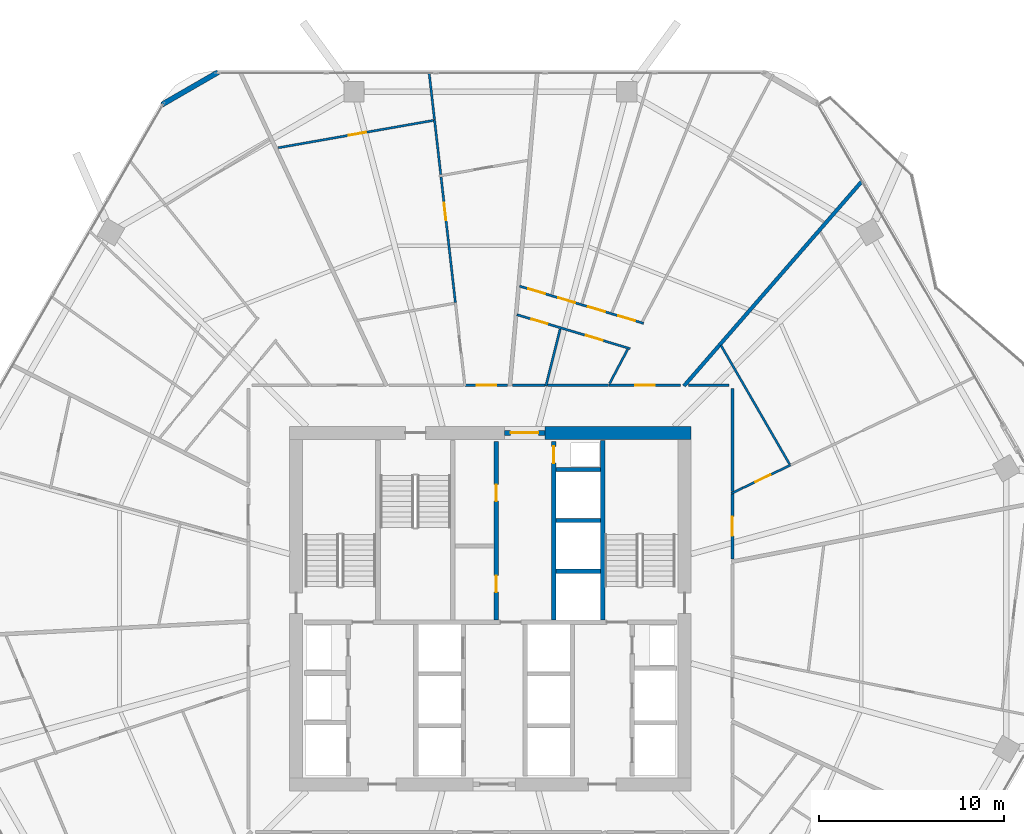
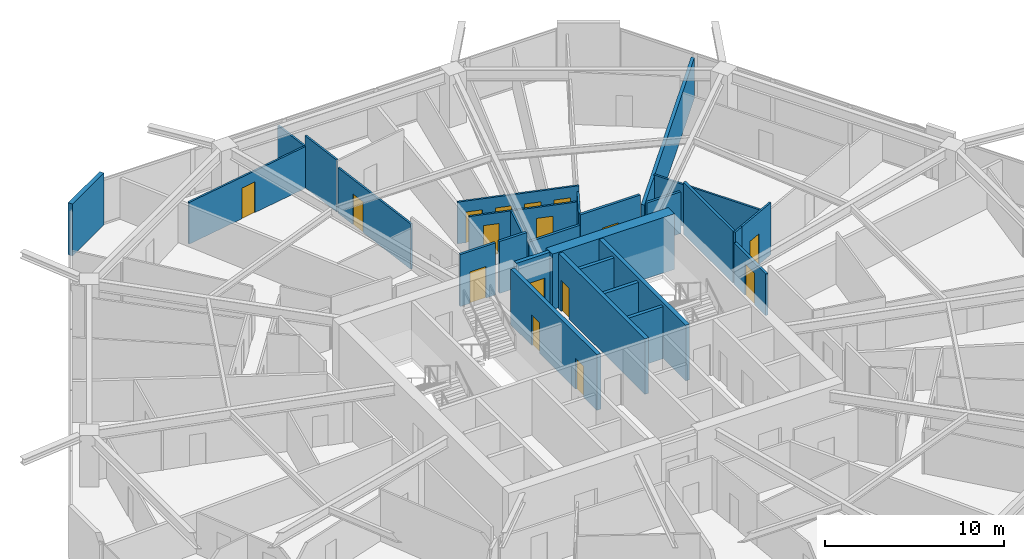
# One storey, part 25 of 29: 28 walls, 16 doors, 16 openings.
"""IFC4 building model written with IfcOpenShell, lengths in metres."""

from ifc_helpers import new_model, si_unit, direction, frame, frame_2d, origin, place, context, subcontext, project, spatial, rectangle, extrude, material, layer, layer_set, type_object, element, fill, save


model = new_model("IFC4")

# Units and contexts
model_context = context("Model", 3, precision=1e-05, world=origin(), true_north=direction((0.0, 1.0)))
body_context = subcontext(model_context, "Body", "Model", "MODEL_VIEW")
ifc_project = project(units=[si_unit("LENGTHUNIT", "METRE"), si_unit("AREAUNIT", "SQUARE_METRE"), si_unit("VOLUMEUNIT", "CUBIC_METRE"), si_unit("PLANEANGLEUNIT", "RADIAN"), si_unit("MASSUNIT", "GRAM", prefix="KILO")], contexts=[model_context])

# Site, building, storey
site_placement = place(None, origin())
site = spatial("IfcSite", under=ifc_project, at=site_placement, CompositionType="ELEMENT")
building_placement = place(site_placement, origin())
building = spatial("IfcBuilding", under=site, at=building_placement, Name="Zuhravey Tower", CompositionType="ELEMENT")
storey_placement = place(building_placement, frame((0.0, 0.0, 134.199951171875)))
storey = spatial("IfcBuildingStorey", under=building, at=storey_placement, Name="L33", CompositionType="ELEMENT", Elevation=134.199951171875)

# Wall
ifc_material_1 = material(Name="Concrete C60/75", Category="concrete")
ifc_layer_1 = layer(ifc_material_1, 0.699951171875)
ifc_layer_set_1 = layer_set([ifc_layer_1], Name="Concrete C60/75")
wall_type_1 = type_object("IfcWallType", Name="Core Shear Wall 700", PredefinedType="SHEAR", material=ifc_layer_set_1)
wall_1_placement = place(storey_placement, frame((46.85009765625, 41.5, 0.0), z_axis=(0.0, 0.0, 1.0), x_axis=(-1.0, 0.0, 0.0)))
element("IfcWall", 1, at=wall_1_placement, inside=storey, type_object=wall_type_1, Name="L33 North-East Core Shear Wall CW70", PredefinedType="SHEAR", context=body_context, shape_type="SweptSolid", body=[
    extrude(rectangle(XDim=7.900146484375, YDim=0.699951171875, at=frame_2d((3.9501953125, 0.0))), origin(), (0.0, 0.0, 1.0), 3.800048828125),
])

# Wall, opening, door
ifc_material_2 = material(Name="Gypsum fire-rated stud partition")
ifc_layer_2 = layer(ifc_material_2, 0.159912109375)
ifc_layer_set_2 = layer_set([ifc_layer_2], Name="Gypsum fire-rated stud partition")
wall_type_2 = type_object("IfcWallType", Name="Corridor Fire Partition 160", PredefinedType="PARTITIONING", material=ifc_layer_set_2)
wall_2_placement = place(storey_placement, frame((49.080078125, 34.681640625, 0.0), z_axis=(0.0, 0.0, 1.0), x_axis=(0.0, 1.0, 0.0)))
wall_2 = element("IfcWall", 2, at=wall_2_placement, inside=storey, type_object=wall_type_2, Name="L33 IW16 Partition 022", PredefinedType="PARTITIONING", context=body_context, shape_type="SweptSolid", body=[
    extrude(rectangle(XDim=3.5517578125, YDim=0.159912109375, at=frame_2d((1.77587890625, 0.0))), origin(), (0.0, 0.0, 1.0), 2.85009765625),
])
opening_1_placement = place(wall_2_placement, frame((1.2509765625, 0.0, 0.0)))
opening_1 = element("IfcOpeningElement", 3, at=opening_1_placement, cuts=wall_2, Name="Opening APD1", PredefinedType="OPENING", context=body_context, shape_type="SweptSolid", body=[
    extrude(rectangle(XDim=1.050048828125, YDim=2.14990234375, at=frame_2d((0.52490234375, 1.074951171875))), frame((0.0, 0.092041015625, 0.0), z_axis=(0.0, -1.0, 0.0), x_axis=(1.0, 0.0, 0.0)), (0.0, 0.0, 1.0), 0.183837890625),
])
ifc_material_3 = material(Name="Solid-core oak fire-rated leaf")
door_type_1 = type_object("IfcDoorType", Name="Apartment Entrance Fire Door 1050x2150", OperationType="NOTDEFINED", PredefinedType="DOOR", material=ifc_material_3)
door_1_placement = place(opening_1_placement, frame((1.050048828125, 0.0, 0.0), z_axis=(0.0, 0.0, 1.0), x_axis=(-1.0, 0.0, 0.0)))
door_1 = element("IfcDoor", 4, at=door_1_placement, inside=storey, type_object=door_type_1, Name="L33 Door 022.1", OperationType="SINGLE_SWING_RIGHT", OverallHeight=2.14990234375, OverallWidth=1.050048828125, PredefinedType="DOOR", context=body_context, shape_type="SweptSolid", body=[
    extrude(rectangle(XDim=1.050048828125, YDim=2.14990234375, at=frame_2d((0.52490234375, 1.074951171875))), frame((0.0, 0.02490234375, 0.0), z_axis=(0.0, -1.0, 0.0), x_axis=(1.0, 0.0, 0.0)), (0.0, 0.0, 1.0), 0.050048828125),
])
fill(opening_1, door_1)

wall_3_placement = place(storey_placement, frame((46.291015625, 44.080078125, 0.0), z_axis=(0.0, 0.0, 1.0), x_axis=(-1.0, 0.0, 0.0)))
wall_3 = element("IfcWall", 5, at=wall_3_placement, inside=storey, type_object=wall_type_2, Name="L33 IW16 Partition 026", PredefinedType="PARTITIONING", context=body_context, shape_type="SweptSolid", body=[
    extrude(rectangle(XDim=3.872314453125, YDim=0.159912109375, at=frame_2d((1.93603515625, 0.0))), origin(), (0.0, 0.0, 1.0), 3.550048828125),
])
opening_2_placement = place(wall_3_placement, frame((1.4111328125, 0.0, 0.0)))
opening_2 = element("IfcOpeningElement", 6, at=opening_2_placement, cuts=wall_3, Name="Opening APD1", PredefinedType="OPENING", context=body_context, shape_type="SweptSolid", body=[
    extrude(rectangle(XDim=1.050048828125, YDim=2.14990234375, at=frame_2d((0.52490234375, 1.074951171875))), frame((0.0, 0.092041015625, 0.0), z_axis=(0.0, -1.0, 0.0), x_axis=(1.0, 0.0, 0.0)), (0.0, 0.0, 1.0), 0.183837890625),
])
door_2_placement = place(opening_2_placement, frame((1.050048828125, 0.0, 0.0), z_axis=(0.0, 0.0, 1.0), x_axis=(-1.0, 0.0, 0.0)))
door_2 = element("IfcDoor", 7, at=door_2_placement, inside=storey, type_object=door_type_1, Name="L33 Door 026.1", OperationType="SINGLE_SWING_RIGHT", OverallHeight=2.14990234375, OverallWidth=1.050048828125, PredefinedType="DOOR", context=body_context, shape_type="SweptSolid", body=[
    extrude(rectangle(XDim=1.050048828125, YDim=2.14990234375, at=frame_2d((0.52490234375, 1.074951171875))), frame((0.0, 0.02490234375, 0.0), z_axis=(0.0, -1.0, 0.0), x_axis=(1.0, 0.0, 0.0)), (0.0, 0.0, 1.0), 0.050048828125),
])
fill(opening_2, door_2)

wall_4_placement = place(storey_placement, frame((36.9306640625, 44.080078125, 0.0), z_axis=(0.0, 0.0, 1.0), x_axis=(-1.0, 0.0, 0.0)))
wall_4 = element("IfcWall", 8, at=wall_4_placement, inside=storey, type_object=wall_type_2, Name="L33 IW16 Partition 032", PredefinedType="PARTITIONING", context=body_context, shape_type="SweptSolid", body=[
    extrude(rectangle(XDim=2.291259765625, YDim=0.159912109375, at=frame_2d((1.1455078125, 0.0))), origin(), (0.0, 0.0, 1.0), 3.550048828125),
])
opening_3_placement = place(wall_4_placement, frame((0.62060546875, 0.0, 0.0)))
opening_3 = element("IfcOpeningElement", 9, at=opening_3_placement, cuts=wall_4, Name="Opening APD1", PredefinedType="OPENING", context=body_context, shape_type="SweptSolid", body=[
    extrude(rectangle(XDim=1.050048828125, YDim=2.14990234375, at=frame_2d((0.52490234375, 1.074951171875))), frame((0.0, 0.092041015625, 0.0), z_axis=(0.0, -1.0, 0.0), x_axis=(1.0, 0.0, 0.0)), (0.0, 0.0, 1.0), 0.183837890625),
])
door_3_placement = place(opening_3_placement, frame((1.050048828125, 0.0, 0.0), z_axis=(0.0, 0.0, 1.0), x_axis=(-1.0, 0.0, 0.0)))
door_3 = element("IfcDoor", 10, at=door_3_placement, inside=storey, type_object=door_type_1, Name="L33 Door 032.1", OperationType="SINGLE_SWING_LEFT", OverallHeight=2.14990234375, OverallWidth=1.050048828125, PredefinedType="DOOR", context=body_context, shape_type="SweptSolid", body=[
    extrude(rectangle(XDim=1.050048828125, YDim=2.14990234375, at=frame_2d((0.52490234375, 1.074951171875))), frame((0.0, 0.02490234375, 0.0), z_axis=(0.0, -1.0, 0.0), x_axis=(1.0, 0.0, 0.0)), (0.0, 0.0, 1.0), 0.050048828125),
])
fill(opening_3, door_3)

# Walls
wall_5_placement = place(storey_placement, frame((49.080078125, 38.3310546875, 0.0), z_axis=(0.0, 0.0, 1.0), x_axis=(0.0, 1.0, 0.0)))
element("IfcWall", 11, at=wall_5_placement, inside=storey, type_object=wall_type_2, Name="L33 IW16 Partition 128", PredefinedType="PARTITIONING", context=body_context, shape_type="SweptSolid", body=[
    extrude(rectangle(XDim=5.56884765625, YDim=0.159912109375, at=frame_2d((2.784423828125, 0.0))), origin(), (0.0, 0.0, 1.0), 3.550048828125),
])
wall_6_placement = place(storey_placement, frame((48.89990234375, 44.080078125, 0.0), z_axis=(0.0, 0.0, 1.0), x_axis=(-1.0, 0.0, 0.0)))
element("IfcWall", 12, at=wall_6_placement, inside=storey, type_object=wall_type_2, Name="L33 IW16 Partition 129", PredefinedType="PARTITIONING", context=body_context, shape_type="SweptSolid", body=[
    extrude(rectangle(XDim=2.185791015625, YDim=0.159912109375, at=frame_2d((1.0927734375, 0.0))), origin(), (0.0, 0.0, 1.0), 2.85009765625),
])
wall_7_placement = place(storey_placement, frame((42.373291015625, 44.080078125, 0.0), z_axis=(0.0, 0.0, 1.0), x_axis=(-1.0, 0.0, 0.0)))
element("IfcWall", 13, at=wall_7_placement, inside=storey, type_object=wall_type_2, Name="L33 IW16 Partition 130", PredefinedType="PARTITIONING", context=body_context, shape_type="SweptSolid", body=[
    extrude(rectangle(XDim=3.28857421875, YDim=0.159912109375, at=frame_2d((1.644287109375, 0.0))), origin(), (0.0, 0.0, 1.0), 2.85009765625),
])
wall_8_placement = place(storey_placement, frame((38.944580078125, 44.080078125, 0.0), z_axis=(0.0, 0.0, 1.0), x_axis=(-1.0, 0.0, 0.0)))
element("IfcWall", 14, at=wall_8_placement, inside=storey, type_object=wall_type_2, Name="L33 IW16 Partition 131", PredefinedType="PARTITIONING", context=body_context, shape_type="SweptSolid", body=[
    extrude(rectangle(XDim=1.76123046875, YDim=0.159912109375, at=frame_2d((0.880615234375, 0.0))), origin(), (0.0, 0.0, 1.0), 3.550048828125),
])
ifc_material_4 = material(Name="Precast concrete C40/50", Category="concrete")
ifc_layer_3 = layer(ifc_material_4, 0.280029296875)
ifc_layer_set_3 = layer_set([ifc_layer_3], Name="Precast concrete C40/50")
wall_type_3 = type_object("IfcWallType", Name="Crown Architectural Wall 280", PredefinedType="SOLIDWALL", material=ifc_layer_set_3)
wall_9_placement = place(storey_placement, frame((18.23876953125, 59.24853515625, 0.0), z_axis=(0.0, 0.0, 1.0), x_axis=(0.866007452331, 0.500031091541, 0.0)))
element("IfcWall", 15, at=wall_9_placement, inside=storey, type_object=wall_type_3, Name="L33 Rounded Corner Closure Wall EW28-08", PredefinedType="SOLIDWALL", context=body_context, shape_type="SweptSolid", body=[
    extrude(rectangle(XDim=3.514892578125, YDim=0.280029296875, at=frame_2d((1.75732421875, 0.0))), origin(), (0.0, 0.0, 1.0), 3.550048828125),
])

# Wall, opening, door
ifc_material_5 = material(Name="Concrete C50/60", Category="concrete")
ifc_layer_4 = layer(ifc_material_5, 0.25)
ifc_layer_set_4 = layer_set([ifc_layer_4], Name="Concrete C50/60")
wall_type_4 = type_object("IfcWallType", Name="Firefighting Shaft & Stair Wall 250", PredefinedType="SOLIDWALL", material=ifc_layer_set_4)
wall_10_placement = place(storey_placement, frame((36.760009765625, 41.5, 0.0), z_axis=(0.0, 0.0, 1.0), x_axis=(1.0, 0.0, 0.0)))
wall_10 = element("IfcWall", 16, at=wall_10_placement, inside=storey, type_object=wall_type_4, Name="L33 FW25 Shaft Wall 002", PredefinedType="SOLIDWALL", context=body_context, shape_type="SweptSolid", body=[
    extrude(rectangle(XDim=2.179931640625, YDim=0.25, at=frame_2d((1.08984375, 0.0))), origin(), (0.0, 0.0, 1.0), 3.800048828125),
])
opening_4_placement = place(wall_10_placement, frame((0.340087890625, 0.0, 0.0)))
opening_4 = element("IfcOpeningElement", 17, at=opening_4_placement, cuts=wall_10, Name="Opening FFD1", PredefinedType="OPENING", context=body_context, shape_type="SweptSolid", body=[
    extrude(rectangle(XDim=1.5, YDim=2.14990234375, at=frame_2d((0.75, 1.074951171875))), frame((0.0, 0.136962890625, 0.0), z_axis=(0.0, -1.0, 0.0), x_axis=(1.0, 0.0, 0.0)), (0.0, 0.0, 1.0), 0.27392578125),
])
ifc_material_6 = material(Name="Galvanised fire-rated steel leaf", Category="steel")
door_type_2 = type_object("IfcDoorType", Name="Firefighting Lobby Double Door 1500x2150", OperationType="DOUBLE_DOOR_SINGLE_SWING", PredefinedType="DOOR", material=ifc_material_6)
door_4_placement = place(opening_4_placement, origin())
door_4 = element("IfcDoor", 18, at=door_4_placement, inside=storey, type_object=door_type_2, Name="L33 North Lift Lobby Exit Door", OperationType="DOUBLE_DOOR_SINGLE_SWING", OverallHeight=2.14990234375, OverallWidth=1.5, PredefinedType="DOOR", context=body_context, shape_type="SweptSolid", body=[
    extrude(rectangle(XDim=1.5, YDim=2.14990234375, at=frame_2d((0.75, 1.074951171875))), frame((0.0, 0.02490234375, 0.0), z_axis=(0.0, -1.0, 0.0), x_axis=(1.0, 0.0, 0.0)), (0.0, 0.0, 1.0), 0.050048828125),
])
fill(opening_4, door_4)

# Wall
wall_11_placement = place(storey_placement, frame((42.074951171875, 31.39990234375, 0.0), z_axis=(0.0, 0.0, 1.0), x_axis=(0.0, 1.0, 0.0)))
element("IfcWall", 19, at=wall_11_placement, inside=storey, type_object=wall_type_4, Name="L33 FW25 Shaft Wall 006", PredefinedType="SOLIDWALL", context=body_context, shape_type="SweptSolid", body=[
    extrude(rectangle(XDim=9.7001953125, YDim=0.25, at=frame_2d((4.85009765625, 0.0))), origin(), (0.0, 0.0, 1.0), 3.800048828125),
])

# Wall, openings, doors
wall_12_placement = place(storey_placement, frame((36.324951171875, 31.39990234375, 0.0), z_axis=(0.0, 0.0, 1.0), x_axis=(0.0, 1.0, 0.0)))
wall_12 = element("IfcWall", 20, at=wall_12_placement, inside=storey, type_object=wall_type_4, Name="L33 FW25 Shaft Wall 007", PredefinedType="SOLIDWALL", context=body_context, shape_type="SweptSolid", body=[
    extrude(rectangle(XDim=9.650146484375, YDim=0.25, at=frame_2d((4.8251953125, 0.0))), origin(), (0.0, 0.0, 1.0), 3.800048828125),
])
opening_5_placement = place(wall_12_placement, frame((1.489990234375, 0.0, 0.0)))
opening_5 = element("IfcOpeningElement", 21, at=opening_5_placement, cuts=wall_12, Name="Opening RSD1", PredefinedType="OPENING", context=body_context, shape_type="SweptSolid", body=[
    extrude(rectangle(XDim=0.89990234375, YDim=2.10009765625, at=frame_2d((0.449951171875, 1.050048828125))), frame((0.0, 0.136962890625, 0.0), z_axis=(0.0, -1.0, 0.0), x_axis=(1.0, 0.0, 0.0)), (0.0, 0.0, 1.0), 0.27392578125),
])
opening_6_placement = place(wall_12_placement, frame((6.409912109375, 0.0, 0.0)))
opening_6 = element("IfcOpeningElement", 22, at=opening_6_placement, cuts=wall_12, Name="Opening RSD1", PredefinedType="OPENING", context=body_context, shape_type="SweptSolid", body=[
    extrude(rectangle(XDim=0.89990234375, YDim=2.10009765625, at=frame_2d((0.449951171875, 1.050048828125))), frame((0.0, 0.136962890625, 0.0), z_axis=(0.0, -1.0, 0.0), x_axis=(1.0, 0.0, 0.0)), (0.0, 0.0, 1.0), 0.27392578125),
])
ifc_material_7 = material(Name="Galvanised fire-rated steel access leaf", Category="steel")
door_type_3 = type_object("IfcDoorType", Name="Riser & Shaft Access Fire Door 900x2100", OperationType="NOTDEFINED", PredefinedType="DOOR", material=ifc_material_7)
door_5_placement = place(opening_5_placement, origin())
door_5 = element("IfcDoor", 23, at=door_5_placement, inside=storey, type_object=door_type_3, Name="L33 Core Cleaner Store Door", OperationType="SINGLE_SWING_LEFT", OverallHeight=2.10009765625, OverallWidth=0.89990234375, PredefinedType="DOOR", context=body_context, shape_type="SweptSolid", body=[
    extrude(rectangle(XDim=0.89990234375, YDim=2.10009765625, at=frame_2d((0.449951171875, 1.050048828125))), frame((0.0, 0.02490234375, 0.0), z_axis=(0.0, -1.0, 0.0), x_axis=(1.0, 0.0, 0.0)), (0.0, 0.0, 1.0), 0.050048828125),
])
fill(opening_5, door_5)
door_6_placement = place(opening_6_placement, origin())
door_6 = element("IfcDoor", 24, at=door_6_placement, inside=storey, type_object=door_type_3, Name="L33 Core Pantry and Tea Room Door", OperationType="SINGLE_SWING_RIGHT", OverallHeight=2.10009765625, OverallWidth=0.89990234375, PredefinedType="DOOR", context=body_context, shape_type="SweptSolid", body=[
    extrude(rectangle(XDim=0.89990234375, YDim=2.10009765625, at=frame_2d((0.449951171875, 1.050048828125))), frame((0.0, 0.02490234375, 0.0), z_axis=(0.0, -1.0, 0.0), x_axis=(1.0, 0.0, 0.0)), (0.0, 0.0, 1.0), 0.050048828125),
])
fill(opening_6, door_6)

# Wall, opening, door
wall_13_placement = place(storey_placement, frame((39.425048828125, 31.39990234375, 0.0), z_axis=(0.0, 0.0, 1.0), x_axis=(0.0, 1.0, 0.0)))
wall_13 = element("IfcWall", 25, at=wall_13_placement, inside=storey, type_object=wall_type_4, Name="L33 FW25 Shaft Wall 008", PredefinedType="SOLIDWALL", context=body_context, shape_type="SweptSolid", body=[
    extrude(rectangle(XDim=9.650146484375, YDim=0.25, at=frame_2d((4.8251953125, 0.0))), origin(), (0.0, 0.0, 1.0), 3.800048828125),
])
opening_7_placement = place(wall_13_placement, frame((8.469970703125, 0.0, 0.0)))
opening_7 = element("IfcOpeningElement", 26, at=opening_7_placement, cuts=wall_13, Name="Opening RSD1", PredefinedType="OPENING", context=body_context, shape_type="SweptSolid", body=[
    extrude(rectangle(XDim=0.89990234375, YDim=2.10009765625, at=frame_2d((0.449951171875, 1.050048828125))), frame((0.0, 0.136962890625, 0.0), z_axis=(0.0, -1.0, 0.0), x_axis=(1.0, 0.0, 0.0)), (0.0, 0.0, 1.0), 0.27392578125),
])
door_7_placement = place(opening_7_placement, origin())
door_7 = element("IfcDoor", 27, at=door_7_placement, inside=storey, type_object=door_type_3, Name="L33 North Riser Door", OperationType="SINGLE_SWING_LEFT", OverallHeight=2.10009765625, OverallWidth=0.89990234375, PredefinedType="DOOR", context=body_context, shape_type="SweptSolid", body=[
    extrude(rectangle(XDim=0.89990234375, YDim=2.10009765625, at=frame_2d((0.449951171875, 1.050048828125))), frame((0.0, 0.02490234375, 0.0), z_axis=(0.0, -1.0, 0.0), x_axis=(1.0, 0.0, 0.0)), (0.0, 0.0, 1.0), 0.050048828125),
])
fill(opening_7, door_7)

# Walls
ifc_material_8 = material(Name="Gypsum double-stud party assembly")
ifc_layer_5 = layer(ifc_material_8, 0.199951171875)
ifc_layer_set_5 = layer_set([ifc_layer_5], Name="Gypsum double-stud party assembly")
wall_type_5 = type_object("IfcWallType", Name="Inter-Tenancy Party Wall 200", PredefinedType="PARTITIONING", material=ifc_layer_set_5)
wall_14_placement = place(storey_placement, frame((46.46630859375, 44.0400390625, 0.0), z_axis=(0.0, 0.0, 1.0), x_axis=(0.656061723069, 0.754707238287, 0.0)))
element("IfcWall", 28, at=wall_14_placement, inside=storey, type_object=wall_type_5, Name="L33 IW20 Partition 079", PredefinedType="PARTITIONING", context=body_context, shape_type="SweptSolid", body=[
    extrude(rectangle(XDim=14.673828125, YDim=0.199951171875, at=frame_2d((7.3369140625, 0.0))), origin(), (0.0, 0.0, 1.0), 2.800048828125),
])
ifc_material_9 = material(Name="Gypsum acoustic stud assembly")
ifc_layer_6 = layer(ifc_material_9, 0.219970703125)
ifc_layer_set_6 = layer_set([ifc_layer_6], Name="Gypsum acoustic stud assembly")
wall_type_6 = type_object("IfcWallType", Name="School Acoustic Compartment Wall 220", PredefinedType="PARTITIONING", material=ifc_layer_set_6)
for number, where, z_axis, x_axis, name in (
    (29, (39.55810546875, 34.02490234375, 0.0), (0.0, 0.0, 1.0), (1.0, 0.0, 0.0), "L33 IW22 Partition 068"),
    (30, (39.55810546875, 36.77490234375, 0.0), (0.0, 0.0, 1.0), (1.0, 0.0, 0.0), "L33 IW22 Partition 069"),
    (31, (39.55810546875, 39.52490234375, 0.0), (0.0, 0.0, 1.0), (1.0, 0.0, 0.0), "L33 IW22 Partition 070"),
):
    element("IfcWall", number, at=place(storey_placement, frame(where, z_axis=z_axis, x_axis=x_axis)), inside=storey, type_object=wall_type_6, Name=name, PredefinedType="PARTITIONING", context=body_context, shape_type="SweptSolid", body=[
        extrude(rectangle(XDim=2.3837890625, YDim=0.219970703125, at=frame_2d((1.19189453125, 0.0))), origin(), (0.0, 0.0, 1.0), 3.550048828125),
    ])

# Wall, opening, door
ifc_material_10 = material(Name="Gypsum metal-stud partition")
ifc_layer_7 = layer(ifc_material_10, 0.1201171875)
ifc_layer_set_7 = layer_set([ifc_layer_7], Name="Gypsum metal-stud partition")
wall_type_7 = type_object("IfcWallType", Name="Unit Internal Partition 120", PredefinedType="PARTITIONING", material=ifc_layer_set_7)
wall_15_placement = place(storey_placement, frame((49.64990234375, 38.5283203125, 0.0), z_axis=(0.0, 0.0, 1.0), x_axis=(0.902135664901, 0.431452479555, 0.0)))
wall_15 = element("IfcWall", 32, at=wall_15_placement, inside=storey, type_object=wall_type_7, Name="L33 IW12 Partition 019", PredefinedType="PARTITIONING", context=body_context, shape_type="SweptSolid", body=[
    extrude(rectangle(XDim=2.86279296875, YDim=0.1201171875, at=frame_2d((1.431396484375, 0.0))), origin(), (0.0, 0.0, 1.0), 3.550048828125),
])
opening_8_placement = place(wall_15_placement, frame((0.752197265625, 0.0, 0.0)))
opening_8 = element("IfcOpeningElement", 33, at=opening_8_placement, cuts=wall_15, Name="Opening WCD1", PredefinedType="OPENING", context=body_context, shape_type="SweptSolid", body=[
    extrude(rectangle(XDim=0.89990234375, YDim=2.10009765625, at=frame_2d((0.449951171875, 1.050048828125))), frame((0.0, 0.072021484375, 0.0), z_axis=(0.0, -1.0, 0.0), x_axis=(1.0, 0.0, 0.0)), (0.0, 0.0, 1.0), 0.14404296875),
])
ifc_material_11 = material(Name="Moisture-resistant timber leaf", Category="wood")
door_type_4 = type_object("IfcDoorType", Name="Bathroom & WC Internal Door 900x2100", OperationType="NOTDEFINED", PredefinedType="DOOR", material=ifc_material_11)
door_8_placement = place(opening_8_placement, origin())
door_8 = element("IfcDoor", 34, at=door_8_placement, inside=storey, type_object=door_type_4, Name="Apartment L33-01 Bathroom Door", OperationType="SINGLE_SWING_LEFT", OverallHeight=2.10009765625, OverallWidth=0.89990234375, PredefinedType="DOOR", context=body_context, shape_type="SweptSolid", body=[
    extrude(rectangle(XDim=0.89990234375, YDim=2.10009765625, at=frame_2d((0.449951171875, 1.050048828125))), frame((0.0, 0.02490234375, 0.0), z_axis=(0.0, -1.0, 0.0), x_axis=(1.0, 0.0, 0.0)), (0.0, 0.0, 1.0), 0.050048828125),
])
fill(opening_8, door_8)

# Wall, openings, doors
wall_16_placement = place(storey_placement, frame((43.555908203125, 46.056640625, 0.0), z_axis=(0.0, 0.0, 1.0), x_axis=(-0.957822082652, 0.287361893759, 0.0)))
wall_16 = element("IfcWall", 35, at=wall_16_placement, inside=storey, type_object=wall_type_7, Name="L33 IW12 Partition 024", PredefinedType="PARTITIONING", context=body_context, shape_type="SweptSolid", body=[
    extrude(rectangle(XDim=6.395751953125, YDim=0.1201171875, at=frame_2d((3.19775390625, 0.0))), origin(), (0.0, 0.0, 1.0), 2.85009765625),
])
opening_9_placement = place(wall_16_placement, frame((1.541748046875, 0.0, 0.0)))
opening_9 = element("IfcOpeningElement", 36, at=opening_9_placement, cuts=wall_16, Name="Opening IND1", PredefinedType="OPENING", context=body_context, shape_type="SweptSolid", body=[
    extrude(rectangle(XDim=0.949951171875, YDim=2.10009765625, at=frame_2d((0.47509765625, 1.050048828125))), frame((0.0, 0.072021484375, 0.0), z_axis=(0.0, -1.0, 0.0), x_axis=(1.0, 0.0, 0.0)), (0.0, 0.0, 1.0), 0.14404296875),
])
opening_10_placement = place(wall_16_placement, frame((4.66259765625, 0.0, 0.0)))
opening_10 = element("IfcOpeningElement", 37, at=opening_10_placement, cuts=wall_16, Name="Opening WCD1", PredefinedType="OPENING", context=body_context, shape_type="SweptSolid", body=[
    extrude(rectangle(XDim=0.89990234375, YDim=2.10009765625, at=frame_2d((0.449951171875, 1.050048828125))), frame((0.0, 0.072021484375, 0.0), z_axis=(0.0, -1.0, 0.0), x_axis=(1.0, 0.0, 0.0)), (0.0, 0.0, 1.0), 0.14404296875),
])
door_9_placement = place(opening_10_placement, origin())
door_9 = element("IfcDoor", 38, at=door_9_placement, inside=storey, type_object=door_type_4, Name="Apartment L33-02 Bathroom Door", OperationType="SINGLE_SWING_LEFT", OverallHeight=2.10009765625, OverallWidth=0.89990234375, PredefinedType="DOOR", context=body_context, shape_type="SweptSolid", body=[
    extrude(rectangle(XDim=0.89990234375, YDim=2.10009765625, at=frame_2d((0.449951171875, 1.050048828125))), frame((0.0, 0.02490234375, 0.0), z_axis=(0.0, -1.0, 0.0), x_axis=(1.0, 0.0, 0.0)), (0.0, 0.0, 1.0), 0.050048828125),
])
fill(opening_10, door_9)
ifc_material_12 = material(Name="Painted engineered timber leaf", Category="wood")
door_type_5 = type_object("IfcDoorType", Name="Internal Room & Bedroom Door 950x2100", OperationType="NOTDEFINED", PredefinedType="DOOR", material=ifc_material_12)
door_10_placement = place(opening_9_placement, origin())
door_10 = element("IfcDoor", 39, at=door_10_placement, inside=storey, type_object=door_type_5, Name="Apartment L33-02 Kitchen Door", OperationType="SINGLE_SWING_RIGHT", OverallHeight=2.10009765625, OverallWidth=0.949951171875, PredefinedType="DOOR", context=body_context, shape_type="SweptSolid", body=[
    extrude(rectangle(XDim=0.949951171875, YDim=2.10009765625, at=frame_2d((0.47509765625, 1.050048828125))), frame((0.0, 0.02490234375, 0.0), z_axis=(0.0, -1.0, 0.0), x_axis=(1.0, 0.0, 0.0)), (0.0, 0.0, 1.0), 0.050048828125),
])
fill(opening_9, door_10)

wall_17_placement = place(storey_placement, frame((44.28076171875, 47.426025390625, 0.0), z_axis=(0.0, 0.0, 1.0), x_axis=(-0.957812840143, 0.287392698684, 0.0)))
wall_17 = element("IfcWall", 40, at=wall_17_placement, inside=storey, type_object=wall_type_7, Name="L33 IW12 Partition 025", PredefinedType="PARTITIONING", context=body_context, shape_type="SweptSolid", body=[
    extrude(rectangle(XDim=6.997314453125, YDim=0.1201171875, at=frame_2d((3.49853515625, 0.0))), origin(), (0.0, 0.0, 1.0), 2.85009765625),
])
opening_11_placement = place(wall_17_placement, frame((0.4833984375, 0.0, 0.0)))
opening_11 = element("IfcOpeningElement", 41, at=opening_11_placement, cuts=wall_17, Name="Opening IND1", PredefinedType="OPENING", context=body_context, shape_type="SweptSolid", body=[
    extrude(rectangle(XDim=0.949951171875, YDim=2.10009765625, at=frame_2d((0.47509765625, 1.050048828125))), frame((0.0, 0.072021484375, 0.0), z_axis=(0.0, -1.0, 0.0), x_axis=(1.0, 0.0, 0.0)), (0.0, 0.0, 1.0), 0.14404296875),
])
opening_12_placement = place(wall_17_placement, frame((2.182373046875, 0.0, 0.0)))
opening_12 = element("IfcOpeningElement", 42, at=opening_12_placement, cuts=wall_17, Name="Opening IND1", PredefinedType="OPENING", context=body_context, shape_type="SweptSolid", body=[
    extrude(rectangle(XDim=0.949951171875, YDim=2.10009765625, at=frame_2d((0.47509765625, 1.050048828125))), frame((0.0, 0.072021484375, 0.0), z_axis=(0.0, -1.0, 0.0), x_axis=(1.0, 0.0, 0.0)), (0.0, 0.0, 1.0), 0.14404296875),
])
opening_13_placement = place(wall_17_placement, frame((3.864990234375, 0.0, 0.0)))
opening_13 = element("IfcOpeningElement", 43, at=opening_13_placement, cuts=wall_17, Name="Opening IND1", PredefinedType="OPENING", context=body_context, shape_type="SweptSolid", body=[
    extrude(rectangle(XDim=0.949951171875, YDim=2.10009765625, at=frame_2d((0.47509765625, 1.050048828125))), frame((0.0, 0.072021484375, 0.0), z_axis=(0.0, -1.0, 0.0), x_axis=(1.0, 0.0, 0.0)), (0.0, 0.0, 1.0), 0.14404296875),
])
opening_14_placement = place(wall_17_placement, frame((5.564208984375, 0.0, 0.0)))
opening_14 = element("IfcOpeningElement", 44, at=opening_14_placement, cuts=wall_17, Name="Opening IND1", PredefinedType="OPENING", context=body_context, shape_type="SweptSolid", body=[
    extrude(rectangle(XDim=0.949951171875, YDim=2.10009765625, at=frame_2d((0.47509765625, 1.050048828125))), frame((0.0, 0.072021484375, 0.0), z_axis=(0.0, -1.0, 0.0), x_axis=(1.0, 0.0, 0.0)), (0.0, 0.0, 1.0), 0.14404296875),
])
door_11_placement = place(opening_11_placement, frame((0.949951171875, 0.0, 0.0), z_axis=(0.0, 0.0, 1.0), x_axis=(-1.0, 0.0, 0.0)))
door_11 = element("IfcDoor", 45, at=door_11_placement, inside=storey, type_object=door_type_5, Name="Apartment L33-02 Bedroom 1 Door", OperationType="SINGLE_SWING_RIGHT", OverallHeight=2.10009765625, OverallWidth=0.949951171875, PredefinedType="DOOR", context=body_context, shape_type="SweptSolid", body=[
    extrude(rectangle(XDim=0.949951171875, YDim=2.10009765625, at=frame_2d((0.47509765625, 1.050048828125))), frame((0.0, 0.02490234375, 0.0), z_axis=(0.0, -1.0, 0.0), x_axis=(1.0, 0.0, 0.0)), (0.0, 0.0, 1.0), 0.050048828125),
])
fill(opening_11, door_11)
door_12_placement = place(opening_12_placement, frame((0.949951171875, 0.0, 0.0), z_axis=(0.0, 0.0, 1.0), x_axis=(-1.0, 0.0, 0.0)))
door_12 = element("IfcDoor", 46, at=door_12_placement, inside=storey, type_object=door_type_5, Name="Apartment L33-02 Bedroom 2 Door", OperationType="SINGLE_SWING_LEFT", OverallHeight=2.10009765625, OverallWidth=0.949951171875, PredefinedType="DOOR", context=body_context, shape_type="SweptSolid", body=[
    extrude(rectangle(XDim=0.949951171875, YDim=2.10009765625, at=frame_2d((0.47509765625, 1.050048828125))), frame((0.0, 0.02490234375, 0.0), z_axis=(0.0, -1.0, 0.0), x_axis=(1.0, 0.0, 0.0)), (0.0, 0.0, 1.0), 0.050048828125),
])
fill(opening_12, door_12)
door_13_placement = place(opening_13_placement, frame((0.949951171875, 0.0, 0.0), z_axis=(0.0, 0.0, 1.0), x_axis=(-1.0, 0.0, 0.0)))
door_13 = element("IfcDoor", 47, at=door_13_placement, inside=storey, type_object=door_type_5, Name="Apartment L33-02 Bedroom 3 Door", OperationType="SINGLE_SWING_RIGHT", OverallHeight=2.10009765625, OverallWidth=0.949951171875, PredefinedType="DOOR", context=body_context, shape_type="SweptSolid", body=[
    extrude(rectangle(XDim=0.949951171875, YDim=2.10009765625, at=frame_2d((0.47509765625, 1.050048828125))), frame((0.0, 0.02490234375, 0.0), z_axis=(0.0, -1.0, 0.0), x_axis=(1.0, 0.0, 0.0)), (0.0, 0.0, 1.0), 0.050048828125),
])
fill(opening_13, door_13)
door_14_placement = place(opening_14_placement, frame((0.949951171875, 0.0, 0.0), z_axis=(0.0, 0.0, 1.0), x_axis=(-1.0, 0.0, 0.0)))
door_14 = element("IfcDoor", 48, at=door_14_placement, inside=storey, type_object=door_type_5, Name="Apartment L33-02 Bedroom 4 Door", OperationType="SINGLE_SWING_LEFT", OverallHeight=2.10009765625, OverallWidth=0.949951171875, PredefinedType="DOOR", context=body_context, shape_type="SweptSolid", body=[
    extrude(rectangle(XDim=0.949951171875, YDim=2.10009765625, at=frame_2d((0.47509765625, 1.050048828125))), frame((0.0, 0.02490234375, 0.0), z_axis=(0.0, -1.0, 0.0), x_axis=(1.0, 0.0, 0.0)), (0.0, 0.0, 1.0), 0.050048828125),
])
fill(opening_14, door_14)

# Wall, opening, door
wall_18_placement = place(storey_placement, frame((34.10888671875, 48.54541015625, 0.0), z_axis=(0.0, 0.0, 1.0), x_axis=(-0.113541557806, 0.993533247884, 0.0)))
wall_18 = element("IfcWall", 49, at=wall_18_placement, inside=storey, type_object=wall_type_7, Name="L33 IW12 Partition 029", PredefinedType="PARTITIONING", context=body_context, shape_type="SweptSolid", body=[
    extrude(rectangle(XDim=6.83984375, YDim=0.1201171875, at=frame_2d((3.419921875, 0.0))), origin(), (0.0, 0.0, 1.0), 3.10009765625),
])
opening_15_placement = place(wall_18_placement, frame((4.476318359375, 0.0, 0.0)))
opening_15 = element("IfcOpeningElement", 50, at=opening_15_placement, cuts=wall_18, Name="Opening IND1", PredefinedType="OPENING", context=body_context, shape_type="SweptSolid", body=[
    extrude(rectangle(XDim=0.949951171875, YDim=2.10009765625, at=frame_2d((0.47509765625, 1.050048828125))), frame((0.0, 0.072021484375, 0.0), z_axis=(0.0, -1.0, 0.0), x_axis=(1.0, 0.0, 0.0)), (0.0, 0.0, 1.0), 0.14404296875),
])
door_15_placement = place(opening_15_placement, origin())
door_15 = element("IfcDoor", 51, at=door_15_placement, inside=storey, type_object=door_type_5, Name="Apartment L33-03 Home Office Door", OperationType="SINGLE_SWING_LEFT", OverallHeight=2.10009765625, OverallWidth=0.949951171875, PredefinedType="DOOR", context=body_context, shape_type="SweptSolid", body=[
    extrude(rectangle(XDim=0.949951171875, YDim=2.10009765625, at=frame_2d((0.47509765625, 1.050048828125))), frame((0.0, 0.02490234375, 0.0), z_axis=(0.0, -1.0, 0.0), x_axis=(1.0, 0.0, 0.0)), (0.0, 0.0, 1.0), 0.050048828125),
])
fill(opening_15, door_15)

# Wall
wall_19_placement = place(storey_placement, frame((33.31689453125, 55.476318359375, 0.0), z_axis=(0.0, 0.0, 1.0), x_axis=(-0.113518831764, 0.993535844766, 0.0)))
element("IfcWall", 52, at=wall_19_placement, inside=storey, type_object=wall_type_7, Name="L33 IW12 Partition 030", PredefinedType="PARTITIONING", context=body_context, shape_type="SweptSolid", body=[
    extrude(rectangle(XDim=2.9765625, YDim=0.1201171875, at=frame_2d((1.48828125, 0.0))), origin(), (0.0, 0.0, 1.0), 3.550048828125),
])

# Wall, opening, door
wall_20_placement = place(storey_placement, frame((32.914794921875, 58.396728515625, 0.0), z_axis=(0.0, 0.0, 1.0), x_axis=(-0.984808385469, -0.17364459079, 0.0)))
wall_20 = element("IfcWall", 53, at=wall_20_placement, inside=storey, type_object=wall_type_7, Name="L33 IW12 Partition 031", PredefinedType="PARTITIONING", context=body_context, shape_type="SweptSolid", body=[
    extrude(rectangle(XDim=8.510498046875, YDim=0.1201171875, at=frame_2d((4.25537109375, 0.0))), origin(), (0.0, 0.0, 1.0), 2.85009765625),
])
opening_16_placement = place(wall_20_placement, frame((3.69580078125, 0.0, 0.0)))
opening_16 = element("IfcOpeningElement", 54, at=opening_16_placement, cuts=wall_20, Name="Opening IND1", PredefinedType="OPENING", context=body_context, shape_type="SweptSolid", body=[
    extrude(rectangle(XDim=0.949951171875, YDim=2.10009765625, at=frame_2d((0.47509765625, 1.050048828125))), frame((0.0, 0.072021484375, 0.0), z_axis=(0.0, -1.0, 0.0), x_axis=(1.0, 0.0, 0.0)), (0.0, 0.0, 1.0), 0.14404296875),
])
door_16_placement = place(opening_16_placement, frame((0.949951171875, 0.0, 0.0), z_axis=(0.0, 0.0, 1.0), x_axis=(-1.0, 0.0, 0.0)))
door_16 = element("IfcDoor", 55, at=door_16_placement, inside=storey, type_object=door_type_5, Name="Apartment L33-03 Kitchen Door", OperationType="SINGLE_SWING_RIGHT", OverallHeight=2.10009765625, OverallWidth=0.949951171875, PredefinedType="DOOR", context=body_context, shape_type="SweptSolid", body=[
    extrude(rectangle(XDim=0.949951171875, YDim=2.10009765625, at=frame_2d((0.47509765625, 1.050048828125))), frame((0.0, 0.02490234375, 0.0), z_axis=(0.0, -1.0, 0.0), x_axis=(1.0, 0.0, 0.0)), (0.0, 0.0, 1.0), 0.050048828125),
])
fill(opening_16, door_16)

# Walls
wall_21_placement = place(storey_placement, frame((49.03759765625, 38.2353515625, 0.0), z_axis=(0.0, 0.0, 1.0), x_axis=(0.902061167318, 0.431608214028, 0.0)))
element("IfcWall", 56, at=wall_21_placement, inside=storey, type_object=wall_type_7, Name="L33 IW12 Partition 076", PredefinedType="PARTITIONING", context=body_context, shape_type="SweptSolid", body=[
    extrude(rectangle(XDim=0.6787109375, YDim=0.1201171875, at=frame_2d((0.33935546875, 0.0))), origin(), (0.0, 0.0, 1.0), 3.550048828125),
])
wall_22_placement = place(storey_placement, frame((52.17578125, 39.811767578125, 0.0), z_axis=(0.0, 0.0, 1.0), x_axis=(-0.499998637326, 0.866026190523, 0.0)))
element("IfcWall", 57, at=wall_22_placement, inside=storey, type_object=wall_type_7, Name="L33 IW12 Partition 078", PredefinedType="PARTITIONING", context=body_context, shape_type="SweptSolid", body=[
    extrude(rectangle(XDim=7.42236328125, YDim=0.1201171875, at=frame_2d((3.711181640625, 0.0))), origin(), (0.0, 0.0, 1.0), 2.85009765625),
])
wall_23_placement = place(storey_placement, frame((39.002197265625, 44.030029296875, 0.0), z_axis=(0.0, 0.0, 1.0), x_axis=(0.242048665755, 0.97026411013, 0.0)))
element("IfcWall", 58, at=wall_23_placement, inside=storey, type_object=wall_type_7, Name="L33 IW12 Partition 080", PredefinedType="PARTITIONING", context=body_context, shape_type="SweptSolid", body=[
    extrude(rectangle(XDim=3.185302734375, YDim=0.1201171875, at=frame_2d((1.5927734375, 0.0))), origin(), (0.0, 0.0, 1.0), 2.85009765625),
])
wall_24_placement = place(storey_placement, frame((42.442626953125, 44.16796875, 0.0), z_axis=(0.0, 0.0, 1.0), x_axis=(0.467962467615, 0.883748340255, 0.0)))
element("IfcWall", 59, at=wall_24_placement, inside=storey, type_object=wall_type_7, Name="L33 IW12 Partition 084", PredefinedType="PARTITIONING", context=body_context, shape_type="SweptSolid", body=[
    extrude(rectangle(XDim=2.100830078125, YDim=0.1201171875, at=frame_2d((1.05029296875, 0.0))), origin(), (0.0, 0.0, 1.0), 3.550048828125),
])
wall_25_placement = place(storey_placement, frame((32.97900390625, 58.43359375, 0.0), z_axis=(0.0, 0.0, 1.0), x_axis=(-0.113619602972, 0.993524325732, 0.0)))
element("IfcWall", 60, at=wall_25_placement, inside=storey, type_object=wall_type_7, Name="L33 IW12 Partition 089", PredefinedType="PARTITIONING", context=body_context, shape_type="SweptSolid", body=[
    extrude(rectangle(XDim=2.54638671875, YDim=0.1201171875, at=frame_2d((1.273193359375, 0.0))), origin(), (0.0, 0.0, 1.0), 2.800048828125),
])

save(model, "model.ifc")
